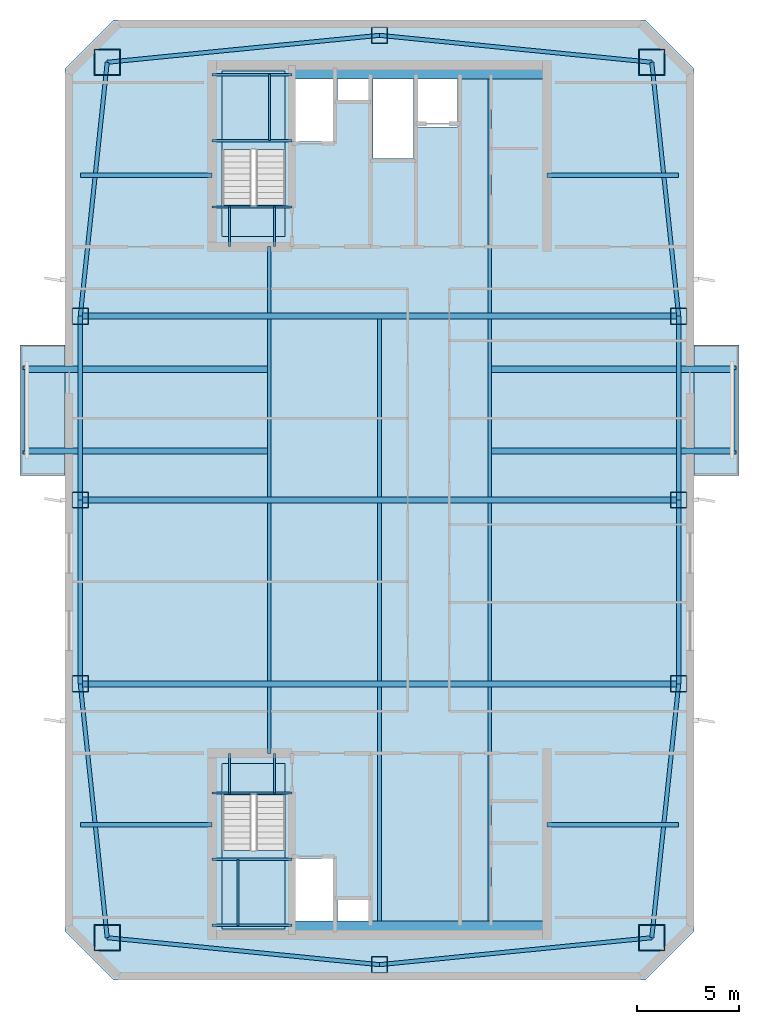
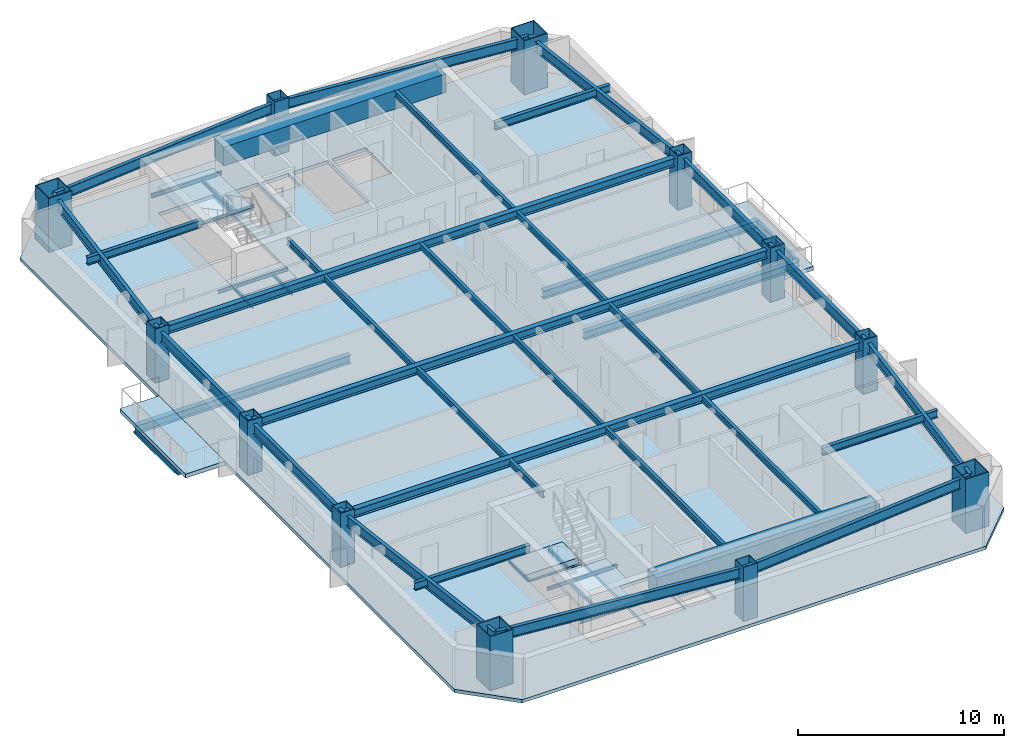
# One storey, part 1 of 7: 50 beams, 12 columns, 7 slabs, 2 elements without a shape of their own.
"""IFC4 building model written with IfcOpenShell, lengths in metres."""

from ifc_helpers import new_model, si_unit, direction, frame, origin, origin_2d, place, context, subcontext, project, spatial, polyline, rectangle, hollow_rectangle, i_section, outline, extrude, material, layer, layer_set, material_profile, profile_set, type_object, element, aggregate, save


model = new_model("IFC4")

# Units and contexts
model_context = context("Model", 3, precision=1e-05, world=origin(), true_north=direction((0.0, 1.0)))
body_context = subcontext(model_context, "Body", "Model", "MODEL_VIEW")
ifc_project = project(units=[si_unit("LENGTHUNIT", "METRE"), si_unit("AREAUNIT", "SQUARE_METRE"), si_unit("VOLUMEUNIT", "CUBIC_METRE"), si_unit("PLANEANGLEUNIT", "RADIAN"), si_unit("MASSUNIT", "GRAM", prefix="KILO")], contexts=[model_context])

# Site, building, storey
site_placement = place(None, origin())
site = spatial("IfcSite", under=ifc_project, at=site_placement, CompositionType="ELEMENT")
building_placement = place(site_placement, origin())
building = spatial("IfcBuilding", under=site, at=building_placement, Name="Qiaolan Cultural Towers", CompositionType="ELEMENT")
storey_placement = place(building_placement, frame((0.0, 0.0, 266.39990234375)))
storey = spatial("IfcBuildingStorey", under=building, at=storey_placement, Name="L73", CompositionType="ELEMENT", Elevation=266.39990234375)

# Columns
ifc_material_1 = material(Name="Steel Q390GJB", Category="steel")
ifc_material_profile_1 = material_profile(ifc_material_1, hollow_rectangle(XDim=1.300048828125, YDim=1.300048828125, WallThickness=0.044921875, at=origin_2d()), Name="BOX1300x1300x45")
ifc_profile_set_1 = profile_set([ifc_material_profile_1], Name="Steel Q390GJB")
column_type_1 = type_object("IfcColumnType", Name="COL-BOX1300x1300x45", PredefinedType="COLUMN", material=ifc_profile_set_1)
for number, where, z_axis, x_axis, name in (
    (1, (16.669921875, 12.570068359375, 0.0), (0.0, 0.0, 1.0), (1.0, 0.0, 0.0), "L73 T1 Perimeter Column MC-SW"),
    (2, (43.330078125, 12.570068359375, 0.0), (0.0, 0.0, 1.0), (1.0, 0.0, 0.0), "L73 T1 Perimeter Column MC-SE"),
    (3, (43.330078125, 55.429931640625, 0.0), (0.0, 0.0, 1.0), (1.0, 0.0, 0.0), "L73 T1 Perimeter Column MC-NE"),
    (4, (16.669921875, 55.429931640625, 0.0), (0.0, 0.0, 1.0), (1.0, 0.0, 0.0), "L73 T1 Perimeter Column MC-NW"),
):
    element("IfcColumn", number, at=place(storey_placement, frame(where, z_axis=z_axis, x_axis=x_axis)), inside=storey, type_object=column_type_1, Name=name, PredefinedType="COLUMN", context=body_context, shape_type="SweptSolid", body=[
        extrude(hollow_rectangle(XDim=1.300048828125, YDim=1.300048828125, WallThickness=0.044921875, at=origin_2d()), origin(), (0.0, 0.0, 1.0), 3.201171875),
    ])
ifc_material_2 = material(Name="Steel Q355B", Category="steel")
ifc_material_profile_2 = material_profile(ifc_material_2, hollow_rectangle(XDim=0.800048828125, YDim=0.800048828125, WallThickness=0.028076171875, at=origin_2d()), Name="BOX800x800x28")
ifc_profile_set_2 = profile_set([ifc_material_profile_2], Name="Steel Q355B")
column_type_2 = type_object("IfcColumnType", Name="COL-BOX800x800x28", PredefinedType="COLUMN", material=ifc_profile_set_2)
for number, where, z_axis, x_axis, name in (
    (5, (15.35009765625, 25.0, 0.0), (0.0, 0.0, 1.0), (1.0, 0.0, 0.0), "L73 T1 Perimeter Column PC-W1"),
    (6, (15.35009765625, 34.0, 0.0), (0.0, 0.0, 1.0), (1.0, 0.0, 0.0), "L73 T1 Perimeter Column PC-W2"),
    (7, (15.35009765625, 43.0, 0.0), (0.0, 0.0, 1.0), (1.0, 0.0, 0.0), "L73 T1 Perimeter Column PC-W3"),
    (8, (44.64990234375, 25.0, 0.0), (0.0, 0.0, 1.0), (1.0, 0.0, 0.0), "L73 T1 Perimeter Column PC-E1"),
    (9, (44.64990234375, 34.0, 0.0), (0.0, 0.0, 1.0), (1.0, 0.0, 0.0), "L73 T1 Perimeter Column PC-E2"),
    (10, (44.64990234375, 43.0, 0.0), (0.0, 0.0, 1.0), (1.0, 0.0, 0.0), "L73 T1 Perimeter Column PC-E3"),
    (11, (30.0, 11.25, 0.0), (0.0, 0.0, 1.0), (1.0, 0.0, 0.0), "L73 T1 Perimeter Column PC-S0"),
    (12, (30.0, 56.75, 0.0), (0.0, 0.0, 1.0), (1.0, 0.0, 0.0), "L73 T1 Perimeter Column PC-N0"),
):
    element("IfcColumn", number, at=place(storey_placement, frame(where, z_axis=z_axis, x_axis=x_axis)), inside=storey, type_object=column_type_2, Name=name, PredefinedType="COLUMN", context=body_context, shape_type="SweptSolid", body=[
        extrude(hollow_rectangle(XDim=0.800048828125, YDim=0.800048828125, WallThickness=0.028076171875, at=origin_2d()), origin(), (0.0, 0.0, 1.0), 3.201171875),
    ])

# Beams
ifc_material_3 = material(Name="Steel Q355B", Category="steel")
ifc_material_profile_3 = material_profile(ifc_material_3, i_section(OverallWidth=0.300048828125, OverallDepth=0.488037109375, WebThickness=0.010986328125, FlangeThickness=0.01806640625, at=origin_2d()), Name="HM488x300x11x18")
ifc_profile_set_3 = profile_set([ifc_material_profile_3], Name="Steel Q355B")
beam_type_1 = type_object("IfcBeamType", Name="BM-HM488x300x11x18", PredefinedType="BEAM", material=ifc_profile_set_3)
for number, where, z_axis, x_axis, name in (
    (13, (24.60009765625, 36.39990234375, -0.52392578125), (-1.0, 0.0, 0.0), (0.0, -1.0, 0.0), "L73 T1 Tree Balcony Back-Spanned Bracket Beam"),
    (14, (24.60009765625, 40.39990234375, -0.52392578125), (-1.0, 0.0, 0.0), (0.0, -1.0, 0.0), "L73 T1 Tree Balcony Back-Spanned Bracket Beam"),
    (15, (35.39990234375, 36.39990234375, -0.52392578125), (1.0, 0.0, 0.0), (0.0, 1.0, 0.0), "L73 T1 Tree Balcony Back-Spanned Bracket Beam"),
    (16, (35.39990234375, 40.39990234375, -0.52392578125), (1.0, 0.0, 0.0), (0.0, 1.0, 0.0), "L73 T1 Tree Balcony Back-Spanned Bracket Beam"),
):
    element("IfcBeam", number, at=place(storey_placement, frame(where, z_axis=z_axis, x_axis=x_axis)), inside=storey, type_object=beam_type_1, Name=name, PredefinedType="BEAM", context=body_context, shape_type="SweptSolid", body=[
        extrude(i_section(OverallWidth=0.300048828125, OverallDepth=0.488037109375, WebThickness=0.010986328125, FlangeThickness=0.01806640625, at=origin_2d()), origin(), (0.0, 0.0, 1.0), 12.050048828125),
    ])
for number, where, z_axis, x_axis, name in (
    (17, (15.35009765625, 25.0, 2.696044921875), (1.0, 0.0, 0.0), (0.0, 1.0, 0.0), "L73 T1 Primary Transverse Girder V1"),
    (18, (15.35009765625, 34.0, 2.696044921875), (1.0, 0.0, 0.0), (0.0, 1.0, 0.0), "L73 T1 Primary Transverse Girder V2"),
    (19, (15.35009765625, 43.0, 2.696044921875), (1.0, 0.0, 0.0), (0.0, 1.0, 0.0), "L73 T1 Primary Transverse Girder V3"),
):
    element("IfcBeam", number, at=place(storey_placement, frame(where, z_axis=z_axis, x_axis=x_axis)), inside=storey, type_object=beam_type_1, Name=name, PredefinedType="BEAM", context=body_context, shape_type="SweptSolid", body=[
        extrude(i_section(OverallWidth=0.300048828125, OverallDepth=0.488037109375, WebThickness=0.010986328125, FlangeThickness=0.01806640625, at=origin_2d()), origin(), (0.0, 0.0, 1.0), 29.2998046875),
    ])
ifc_material_4 = material(Name="Steel Q355B", Category="steel")
ifc_material_profile_4 = material_profile(ifc_material_4, i_section(OverallWidth=0.175048828125, OverallDepth=0.35009765625, WebThickness=0.007080078125, FlangeThickness=0.010986328125, at=origin_2d()), Name="HN350x175x7x11")
ifc_profile_set_4 = profile_set([ifc_material_profile_4], Name="Steel Q355B")
beam_type_2 = type_object("IfcBeamType", Name="BM-JST-HN350x175x7x11", PredefinedType="JOIST", material=ifc_profile_set_4)
for number, where, z_axis, x_axis, name in (
    (20, (12.550048828125, 36.39990234375, -0.52392578125), (0.0, 1.0, 0.0), (-1.0, 0.0, 0.0), "L73 T1 Tree Balcony Outer Edge Beam"),
    (21, (47.449951171875, 36.39990234375, -0.52392578125), (0.0, 1.0, 0.0), (-1.0, 0.0, 0.0), "L73 T1 Tree Balcony Outer Edge Beam"),
):
    element("IfcBeam", number, at=place(storey_placement, frame(where, z_axis=z_axis, x_axis=x_axis)), inside=storey, type_object=beam_type_2, Name=name, PredefinedType="JOIST", context=body_context, shape_type="SweptSolid", body=[
        extrude(i_section(OverallWidth=0.175048828125, OverallDepth=0.35009765625, WebThickness=0.007080078125, FlangeThickness=0.010986328125, at=origin_2d()), origin(), (0.0, 0.0, 1.0), 4.0),
    ])
beam_1_placement = place(storey_placement, frame((24.60009765625, 21.60009765625, 2.76513671875), z_axis=(0.0, 1.0, 0.0), x_axis=(-1.0, 0.0, 0.0)))
element("IfcBeam", 22, at=beam_1_placement, inside=storey, type_object=beam_type_2, Name="L73 T1 Secondary Floor Joist U1-1", PredefinedType="JOIST", context=body_context, shape_type="SweptSolid", body=[
    extrude(i_section(OverallWidth=0.175048828125, OverallDepth=0.35009765625, WebThickness=0.007080078125, FlangeThickness=0.010986328125, at=origin_2d()), origin(), (0.0, 0.0, 1.0), 3.25),
])
for number, where, z_axis, x_axis, name in (
    (23, (24.60009765625, 25.14990234375, 2.76513671875), (0.0, 1.0, 0.0), (-1.0, 0.0, 0.0), "L73 T1 Secondary Floor Joist U1-2"),
    (24, (24.60009765625, 34.14990234375, 2.76513671875), (0.0, 1.0, 0.0), (-1.0, 0.0, 0.0), "L73 T1 Secondary Floor Joist U1-3"),
):
    element("IfcBeam", number, at=place(storey_placement, frame(where, z_axis=z_axis, x_axis=x_axis)), inside=storey, type_object=beam_type_2, Name=name, PredefinedType="JOIST", context=body_context, shape_type="SweptSolid", body=[
        extrude(i_section(OverallWidth=0.175048828125, OverallDepth=0.35009765625, WebThickness=0.007080078125, FlangeThickness=0.010986328125, at=origin_2d()), origin(), (0.0, 0.0, 1.0), 8.7001953125),
    ])
beam_2_placement = place(storey_placement, frame((24.60009765625, 43.14990234375, 2.76513671875), z_axis=(0.0, 1.0, 0.0), x_axis=(-1.0, 0.0, 0.0)))
element("IfcBeam", 25, at=beam_2_placement, inside=storey, type_object=beam_type_2, Name="L73 T1 Secondary Floor Joist U1-4", PredefinedType="JOIST", context=body_context, shape_type="SweptSolid", body=[
    extrude(i_section(OverallWidth=0.175048828125, OverallDepth=0.35009765625, WebThickness=0.007080078125, FlangeThickness=0.010986328125, at=origin_2d()), origin(), (0.0, 0.0, 1.0), 3.25),
])
beam_3_placement = place(storey_placement, frame((30.0, 13.39990234375, 2.76513671875), z_axis=(0.0, 1.0, 0.0), x_axis=(-1.0, 0.0, 0.0)))
element("IfcBeam", 26, at=beam_3_placement, inside=storey, type_object=beam_type_2, Name="L73 T1 Secondary Floor Joist U2-1", PredefinedType="JOIST", context=body_context, shape_type="SweptSolid", body=[
    extrude(i_section(OverallWidth=0.175048828125, OverallDepth=0.35009765625, WebThickness=0.007080078125, FlangeThickness=0.010986328125, at=origin_2d()), origin(), (0.0, 0.0, 1.0), 11.4501953125),
])
for number, where, z_axis, x_axis, name in (
    (27, (30.0, 25.14990234375, 2.76513671875), (0.0, 1.0, 0.0), (-1.0, 0.0, 0.0), "L73 T1 Secondary Floor Joist U2-2"),
    (28, (30.0, 34.14990234375, 2.76513671875), (0.0, 1.0, 0.0), (-1.0, 0.0, 0.0), "L73 T1 Secondary Floor Joist U2-3"),
):
    element("IfcBeam", number, at=place(storey_placement, frame(where, z_axis=z_axis, x_axis=x_axis)), inside=storey, type_object=beam_type_2, Name=name, PredefinedType="JOIST", context=body_context, shape_type="SweptSolid", body=[
        extrude(i_section(OverallWidth=0.175048828125, OverallDepth=0.35009765625, WebThickness=0.007080078125, FlangeThickness=0.010986328125, at=origin_2d()), origin(), (0.0, 0.0, 1.0), 8.7001953125),
    ])
beam_4_placement = place(storey_placement, frame((35.39990234375, 13.39990234375, 2.76513671875), z_axis=(0.0, 1.0, 0.0), x_axis=(-1.0, 0.0, 0.0)))
element("IfcBeam", 29, at=beam_4_placement, inside=storey, type_object=beam_type_2, Name="L73 T1 Secondary Floor Joist U3-1", PredefinedType="JOIST", context=body_context, shape_type="SweptSolid", body=[
    extrude(i_section(OverallWidth=0.175048828125, OverallDepth=0.35009765625, WebThickness=0.007080078125, FlangeThickness=0.010986328125, at=origin_2d()), origin(), (0.0, 0.0, 1.0), 11.4501953125),
])
for number, where, z_axis, x_axis, name in (
    (30, (35.39990234375, 25.14990234375, 2.76513671875), (0.0, 1.0, 0.0), (-1.0, 0.0, 0.0), "L73 T1 Secondary Floor Joist U3-2"),
    (31, (35.39990234375, 34.14990234375, 2.76513671875), (0.0, 1.0, 0.0), (-1.0, 0.0, 0.0), "L73 T1 Secondary Floor Joist U3-3"),
):
    element("IfcBeam", number, at=place(storey_placement, frame(where, z_axis=z_axis, x_axis=x_axis)), inside=storey, type_object=beam_type_2, Name=name, PredefinedType="JOIST", context=body_context, shape_type="SweptSolid", body=[
        extrude(i_section(OverallWidth=0.175048828125, OverallDepth=0.35009765625, WebThickness=0.007080078125, FlangeThickness=0.010986328125, at=origin_2d()), origin(), (0.0, 0.0, 1.0), 8.7001953125),
    ])
beam_5_placement = place(storey_placement, frame((35.39990234375, 43.14990234375, 2.76513671875), z_axis=(0.0, 1.0, 0.0), x_axis=(-1.0, 0.0, 0.0)))
element("IfcBeam", 32, at=beam_5_placement, inside=storey, type_object=beam_type_2, Name="L73 T1 Secondary Floor Joist U3-4", PredefinedType="JOIST", context=body_context, shape_type="SweptSolid", body=[
    extrude(i_section(OverallWidth=0.175048828125, OverallDepth=0.35009765625, WebThickness=0.007080078125, FlangeThickness=0.010986328125, at=origin_2d()), origin(), (0.0, 0.0, 1.0), 11.4501953125),
])
ifc_material_5 = material(Name="Steel Q355B", Category="steel")
ifc_material_profile_5 = material_profile(ifc_material_5, i_section(OverallWidth=0.199951171875, OverallDepth=0.449951171875, WebThickness=0.009033203125, FlangeThickness=0.013916015625, at=origin_2d()), Name="HN450x200x9x14")
ifc_profile_set_5 = profile_set([ifc_material_profile_5], Name="Steel Q355B")
beam_type_3 = type_object("IfcBeamType", Name="BM-LNT-HN450x200x9x14", PredefinedType="LINTEL", material=ifc_profile_set_5)
for number, where, z_axis, x_axis, name in (
    (33, (21.800048828125, 18.10009765625, 2.715087890625), (-1.0, 0.0, 0.0), (0.0, -1.0, 0.0), "L73 T1 Core Flank Tie Lintel WS"),
    (34, (21.800048828125, 49.89990234375, 2.715087890625), (-1.0, 0.0, 0.0), (0.0, -1.0, 0.0), "L73 T1 Core Flank Tie Lintel WN"),
    (35, (38.199951171875, 18.10009765625, 2.715087890625), (1.0, 0.0, 0.0), (0.0, 1.0, 0.0), "L73 T1 Core Flank Tie Lintel ES"),
    (36, (38.199951171875, 49.89990234375, 2.715087890625), (1.0, 0.0, 0.0), (0.0, 1.0, 0.0), "L73 T1 Core Flank Tie Lintel EN"),
):
    element("IfcBeam", number, at=place(storey_placement, frame(where, z_axis=z_axis, x_axis=x_axis)), inside=storey, type_object=beam_type_3, Name=name, PredefinedType="LINTEL", context=body_context, shape_type="SweptSolid", body=[
        extrude(i_section(OverallWidth=0.199951171875, OverallDepth=0.449951171875, WebThickness=0.009033203125, FlangeThickness=0.013916015625, at=origin_2d()), origin(), (0.0, 0.0, 1.0), 6.449951171875),
    ])
ifc_material_6 = material(Name="Concrete C50", Category="concrete")
ifc_material_profile_6 = material_profile(ifc_material_6, rectangle(XDim=0.89990234375, YDim=1.10009765625, at=origin_2d()), Name="RC900x1100")
ifc_profile_set_6 = profile_set([ifc_material_profile_6], Name="Concrete C50")
beam_type_4 = type_object("IfcBeamType", Name="BM-RC900x1100", PredefinedType="BEAM", material=ifc_profile_set_6)
for number, where, z_axis, x_axis, name in (
    (37, (25.719970703125, 12.949951171875, 2.39013671875), (1.0, 0.0, 0.0), (0.0, 1.0, 0.0), "L73 T1 Core Header Girder S"),
    (38, (25.719970703125, 55.050048828125, 2.39013671875), (1.0, 0.0, 0.0), (0.0, 1.0, 0.0), "L73 T1 Core Header Girder N"),
):
    element("IfcBeam", number, at=place(storey_placement, frame(where, z_axis=z_axis, x_axis=x_axis)), inside=storey, type_object=beam_type_4, Name=name, PredefinedType="BEAM", context=body_context, shape_type="SweptSolid", body=[
        extrude(rectangle(XDim=0.89990234375, YDim=1.10009765625, at=origin_2d()), origin(), (0.0, 0.0, 1.0), 12.47998046875),
    ])
ifc_material_7 = material(Name="Steel Q355B", Category="steel")
ifc_material_profile_7 = material_profile(ifc_material_7, i_section(OverallWidth=0.199951171875, OverallDepth=0.60009765625, WebThickness=0.010986328125, FlangeThickness=0.01708984375, at=origin_2d()), Name="HN600x200x11x17")
ifc_profile_set_7 = profile_set([ifc_material_profile_7], Name="Steel Q355B")
beam_type_5 = type_object("IfcBeamType", Name="BM-SPD-HN600x200x11x17", PredefinedType="SPANDREL", material=ifc_profile_set_7)
for number, where, z_axis, x_axis, name in (
    (39, (16.669921875, 12.570068359375, 2.64013671875), (0.995132371263, -0.098547266143, 0.0), (0.098547266143, 0.995132371263, 0.0), "L73 T1 Perimeter Spandrel Beam 1"),
    (40, (30.0, 11.25, 2.64013671875), (0.995132371263, 0.098547266143, 0.0), (-0.098547266143, 0.995132371263, 0.0), "L73 T1 Perimeter Spandrel Beam 2"),
):
    element("IfcBeam", number, at=place(storey_placement, frame(where, z_axis=z_axis, x_axis=x_axis)), inside=storey, type_object=beam_type_5, Name=name, PredefinedType="SPANDREL", context=body_context, shape_type="SweptSolid", body=[
        extrude(i_section(OverallWidth=0.199951171875, OverallDepth=0.60009765625, WebThickness=0.010986328125, FlangeThickness=0.01708984375, at=origin_2d()), origin(), (0.0, 0.0, 1.0), 13.395263671875),
    ])
beam_6_placement = place(storey_placement, frame((43.330078125, 12.570068359375, 2.64013671875), z_axis=(0.105587580773, 0.994410007384, 0.0), x_axis=(-0.994410007384, 0.105587580773, 0.0)))
element("IfcBeam", 41, at=beam_6_placement, inside=storey, type_object=beam_type_5, Name="L73 T1 Perimeter Spandrel Beam 3", PredefinedType="SPANDREL", context=body_context, shape_type="SweptSolid", body=[
    extrude(i_section(OverallWidth=0.199951171875, OverallDepth=0.60009765625, WebThickness=0.010986328125, FlangeThickness=0.01708984375, at=origin_2d()), origin(), (0.0, 0.0, 1.0), 12.499755859375),
])
for number, where, z_axis, x_axis, name in (
    (42, (44.64990234375, 25.0, 2.64013671875), (0.0, 1.0, 0.0), (-1.0, 0.0, 0.0), "L73 T1 Perimeter Spandrel Beam 4"),
    (43, (44.64990234375, 34.0, 2.64013671875), (0.0, 1.0, 0.0), (-1.0, 0.0, 0.0), "L73 T1 Perimeter Spandrel Beam 5"),
):
    element("IfcBeam", number, at=place(storey_placement, frame(where, z_axis=z_axis, x_axis=x_axis)), inside=storey, type_object=beam_type_5, Name=name, PredefinedType="SPANDREL", context=body_context, shape_type="SweptSolid", body=[
        extrude(i_section(OverallWidth=0.199951171875, OverallDepth=0.60009765625, WebThickness=0.010986328125, FlangeThickness=0.01708984375, at=origin_2d()), origin(), (0.0, 0.0, 1.0), 9.0),
    ])
beam_7_placement = place(storey_placement, frame((44.64990234375, 43.0, 2.64013671875), z_axis=(-0.105587580773, 0.994410007384, 0.0), x_axis=(-0.994410007384, -0.105587580773, 0.0)))
element("IfcBeam", 44, at=beam_7_placement, inside=storey, type_object=beam_type_5, Name="L73 T1 Perimeter Spandrel Beam 6", PredefinedType="SPANDREL", context=body_context, shape_type="SweptSolid", body=[
    extrude(i_section(OverallWidth=0.199951171875, OverallDepth=0.60009765625, WebThickness=0.010986328125, FlangeThickness=0.01708984375, at=origin_2d()), origin(), (0.0, 0.0, 1.0), 12.499755859375),
])
for number, where, z_axis, x_axis, name in (
    (45, (43.330078125, 55.429931640625, 2.64013671875), (-0.995132371263, 0.098547266143, 0.0), (-0.098547266143, -0.995132371263, 0.0), "L73 T1 Perimeter Spandrel Beam 7"),
    (46, (30.0, 56.75, 2.64013671875), (-0.995132371263, -0.098547266143, 0.0), (0.098547266143, -0.995132371263, 0.0), "L73 T1 Perimeter Spandrel Beam 8"),
):
    element("IfcBeam", number, at=place(storey_placement, frame(where, z_axis=z_axis, x_axis=x_axis)), inside=storey, type_object=beam_type_5, Name=name, PredefinedType="SPANDREL", context=body_context, shape_type="SweptSolid", body=[
        extrude(i_section(OverallWidth=0.199951171875, OverallDepth=0.60009765625, WebThickness=0.010986328125, FlangeThickness=0.01708984375, at=origin_2d()), origin(), (0.0, 0.0, 1.0), 13.395263671875),
    ])
beam_8_placement = place(storey_placement, frame((16.669921875, 55.429931640625, 2.64013671875), z_axis=(-0.105587580773, -0.994410007384, 0.0), x_axis=(0.994410007384, -0.105587580773, 0.0)))
element("IfcBeam", 47, at=beam_8_placement, inside=storey, type_object=beam_type_5, Name="L73 T1 Perimeter Spandrel Beam 9", PredefinedType="SPANDREL", context=body_context, shape_type="SweptSolid", body=[
    extrude(i_section(OverallWidth=0.199951171875, OverallDepth=0.60009765625, WebThickness=0.010986328125, FlangeThickness=0.01708984375, at=origin_2d()), origin(), (0.0, 0.0, 1.0), 12.499755859375),
])
for number, where, z_axis, x_axis, name in (
    (48, (15.35009765625, 43.0, 2.64013671875), (0.0, -1.0, 0.0), (1.0, 0.0, 0.0), "L73 T1 Perimeter Spandrel Beam 10"),
    (49, (15.35009765625, 34.0, 2.64013671875), (0.0, -1.0, 0.0), (1.0, 0.0, 0.0), "L73 T1 Perimeter Spandrel Beam 11"),
):
    element("IfcBeam", number, at=place(storey_placement, frame(where, z_axis=z_axis, x_axis=x_axis)), inside=storey, type_object=beam_type_5, Name=name, PredefinedType="SPANDREL", context=body_context, shape_type="SweptSolid", body=[
        extrude(i_section(OverallWidth=0.199951171875, OverallDepth=0.60009765625, WebThickness=0.010986328125, FlangeThickness=0.01708984375, at=origin_2d()), origin(), (0.0, 0.0, 1.0), 9.0),
    ])
beam_9_placement = place(storey_placement, frame((15.35009765625, 25.0, 2.64013671875), z_axis=(0.105587580773, -0.994410007384, 0.0), x_axis=(0.994410007384, 0.105587580773, 0.0)))
element("IfcBeam", 50, at=beam_9_placement, inside=storey, type_object=beam_type_5, Name="L73 T1 Perimeter Spandrel Beam 12", PredefinedType="SPANDREL", context=body_context, shape_type="SweptSolid", body=[
    extrude(i_section(OverallWidth=0.199951171875, OverallDepth=0.60009765625, WebThickness=0.010986328125, FlangeThickness=0.01708984375, at=origin_2d()), origin(), (0.0, 0.0, 1.0), 12.499755859375),
])
ifc_material_8 = material(Name="Steel Q355B", Category="steel")
ifc_material_profile_8 = material_profile(ifc_material_8, i_section(OverallWidth=0.10009765625, OverallDepth=0.199951171875, WebThickness=0.005615234375, FlangeThickness=0.008056640625, at=origin_2d()), Name="HN200x100x5.5x8")
ifc_profile_set_8 = profile_set([ifc_material_profile_8], Name="Steel Q355B")
beam_type_6 = type_object("IfcBeamType", Name="BM-STTRIM-200", PredefinedType="BEAM", material=ifc_profile_set_8)
beam_10_placement = place(storey_placement, frame((21.800048828125, 19.659912109375, -0.4599609375), z_axis=(1.0, 0.0, 0.0), x_axis=(0.0, 1.0, 0.0)))
element("IfcBeam", 51, at=beam_10_placement, inside=storey, type_object=beam_type_6, Name="L73 ST-W1 Floor Landing Header Beam", PredefinedType="BEAM", context=body_context, shape_type="SweptSolid", body=[
    extrude(i_section(OverallWidth=0.10009765625, OverallDepth=0.199951171875, WebThickness=0.005615234375, FlangeThickness=0.008056640625, at=origin_2d()), origin(), (0.0, 0.0, 1.0), 3.919921875),
])
for number, where, z_axis, x_axis, name in (
    (52, (22.64990234375, 21.60009765625, -0.4599609375), (0.0, -1.0, 0.0), (1.0, 0.0, 0.0), "L73 ST-W1 Floor Landing Stringer 1"),
    (53, (24.85009765625, 21.60009765625, -0.4599609375), (0.0, -1.0, 0.0), (1.0, 0.0, 0.0), "L73 ST-W1 Floor Landing Stringer 2"),
):
    element("IfcBeam", number, at=place(storey_placement, frame(where, z_axis=z_axis, x_axis=x_axis)), inside=storey, type_object=beam_type_6, Name=name, PredefinedType="BEAM", context=body_context, shape_type="SweptSolid", body=[
        extrude(i_section(OverallWidth=0.10009765625, OverallDepth=0.199951171875, WebThickness=0.005615234375, FlangeThickness=0.008056640625, at=origin_2d()), origin(), (0.0, 0.0, 1.0), 1.940185546875),
    ])
for number, where, z_axis, x_axis, name in (
    (54, (21.800048828125, 16.411376953125, 1.300048828125), (1.0, 0.0, 0.0), (0.0, 1.0, 0.0), "L73 ST-W1 Stair Landing Support Beam 1-1"),
    (55, (21.800048828125, 13.179931640625, 1.300048828125), (1.0, 0.0, 0.0), (0.0, 1.0, 0.0), "L73 ST-W1 Stair Landing Support Beam 1-2"),
):
    element("IfcBeam", number, at=place(storey_placement, frame(where, z_axis=z_axis, x_axis=x_axis)), inside=storey, type_object=beam_type_6, Name=name, PredefinedType="BEAM", context=body_context, shape_type="SweptSolid", body=[
        extrude(i_section(OverallWidth=0.10009765625, OverallDepth=0.199951171875, WebThickness=0.005615234375, FlangeThickness=0.008056640625, at=origin_2d()), origin(), (0.0, 0.0, 1.0), 3.919921875),
    ])
beam_11_placement = place(storey_placement, frame((23.070068359375, 16.411376953125, 1.300048828125), z_axis=(0.0, -1.0, 0.0), x_axis=(1.0, 0.0, 0.0)))
element("IfcBeam", 56, at=beam_11_placement, inside=storey, type_object=beam_type_6, Name="L73 ST-W1 Stair Landing Trimmer 1", PredefinedType="BEAM", context=body_context, shape_type="SweptSolid", body=[
    extrude(i_section(OverallWidth=0.10009765625, OverallDepth=0.199951171875, WebThickness=0.005615234375, FlangeThickness=0.008056640625, at=origin_2d()), origin(), (0.0, 0.0, 1.0), 3.2314453125),
])
beam_12_placement = place(storey_placement, frame((21.800048828125, 48.340087890625, -0.4599609375), z_axis=(1.0, 0.0, 0.0), x_axis=(0.0, 1.0, 0.0)))
element("IfcBeam", 57, at=beam_12_placement, inside=storey, type_object=beam_type_6, Name="L73 ST-W2 Floor Landing Header Beam", PredefinedType="BEAM", context=body_context, shape_type="SweptSolid", body=[
    extrude(i_section(OverallWidth=0.10009765625, OverallDepth=0.199951171875, WebThickness=0.005615234375, FlangeThickness=0.008056640625, at=origin_2d()), origin(), (0.0, 0.0, 1.0), 3.919921875),
])
for number, where, z_axis, x_axis, name in (
    (58, (22.64990234375, 46.39990234375, -0.4599609375), (0.0, 1.0, 0.0), (-1.0, 0.0, 0.0), "L73 ST-W2 Floor Landing Stringer 1"),
    (59, (24.85009765625, 46.39990234375, -0.4599609375), (0.0, 1.0, 0.0), (-1.0, 0.0, 0.0), "L73 ST-W2 Floor Landing Stringer 2"),
):
    element("IfcBeam", number, at=place(storey_placement, frame(where, z_axis=z_axis, x_axis=x_axis)), inside=storey, type_object=beam_type_6, Name=name, PredefinedType="BEAM", context=body_context, shape_type="SweptSolid", body=[
        extrude(i_section(OverallWidth=0.10009765625, OverallDepth=0.199951171875, WebThickness=0.005615234375, FlangeThickness=0.008056640625, at=origin_2d()), origin(), (0.0, 0.0, 1.0), 1.940185546875),
    ])
for number, where, z_axis, x_axis, name in (
    (60, (21.800048828125, 51.588623046875, 1.300048828125), (1.0, 0.0, 0.0), (0.0, 1.0, 0.0), "L73 ST-W2 Stair Landing Support Beam 1-1"),
    (61, (21.800048828125, 54.820068359375, 1.300048828125), (1.0, 0.0, 0.0), (0.0, 1.0, 0.0), "L73 ST-W2 Stair Landing Support Beam 1-2"),
):
    element("IfcBeam", number, at=place(storey_placement, frame(where, z_axis=z_axis, x_axis=x_axis)), inside=storey, type_object=beam_type_6, Name=name, PredefinedType="BEAM", context=body_context, shape_type="SweptSolid", body=[
        extrude(i_section(OverallWidth=0.10009765625, OverallDepth=0.199951171875, WebThickness=0.005615234375, FlangeThickness=0.008056640625, at=origin_2d()), origin(), (0.0, 0.0, 1.0), 3.919921875),
    ])
beam_13_placement = place(storey_placement, frame((24.610107421875, 51.588623046875, 1.300048828125), z_axis=(0.0, 1.0, 0.0), x_axis=(-1.0, 0.0, 0.0)))
element("IfcBeam", 62, at=beam_13_placement, inside=storey, type_object=beam_type_6, Name="L73 ST-W2 Stair Landing Trimmer 1", PredefinedType="BEAM", context=body_context, shape_type="SweptSolid", body=[
    extrude(i_section(OverallWidth=0.10009765625, OverallDepth=0.199951171875, WebThickness=0.005615234375, FlangeThickness=0.008056640625, at=origin_2d()), origin(), (0.0, 0.0, 1.0), 3.2314453125),
])

# Slabs
ifc_material_9 = material(Name="Concrete C45", Category="concrete")
ifc_layer_1 = layer(ifc_material_9, 0.239990234375)
ifc_layer_set_1 = layer_set([ifc_layer_1], Name="Concrete C45")
slab_type_1 = type_object("IfcSlabType", Name="SL-BAL-240", PredefinedType="FLOOR", material=ifc_layer_set_1)
slab_1_placement = place(storey_placement, frame((0.0, 0.0, -0.239990234375)))
element("IfcSlab", 63, at=slab_1_placement, inside=storey, type_object=slab_type_1, Name="L73 T1 Planted Tree Balcony W", PredefinedType="FLOOR", context=body_context, shape_type="SweptSolid", body=[
    extrude(outline(polyline([(12.39990234375, 35.199951171875), (14.60009765625, 35.199951171875), (14.60009765625, 41.60009765625), (12.39990234375, 41.60009765625), (12.39990234375, 35.199951171875)])), origin(), (0.0, 0.0, 1.0), 0.239990234375),
])
slab_2_placement = place(storey_placement, frame((0.0, 0.0, -0.239990234375)))
element("IfcSlab", 64, at=slab_2_placement, inside=storey, type_object=slab_type_1, Name="L73 T1 Planted Tree Balcony E", PredefinedType="FLOOR", context=body_context, shape_type="SweptSolid", body=[
    extrude(outline(polyline([(45.39990234375, 35.199951171875), (47.60009765625, 35.199951171875), (47.60009765625, 41.60009765625), (45.39990234375, 41.60009765625), (45.39990234375, 35.199951171875)])), origin(), (0.0, 0.0, 1.0), 0.239990234375),
])
ifc_material_10 = material(Name="Concrete C45", Category="concrete")
ifc_layer_2 = layer(ifc_material_10, 0.199951171875)
ifc_layer_set_2 = layer_set([ifc_layer_2], Name="Concrete C45")
slab_type_2 = type_object("IfcSlabType", Name="SL-HI-200", PredefinedType="FLOOR", material=ifc_layer_set_2)
slab_3_placement = place(storey_placement, frame((0.0, 0.0, -0.199951171875)))
element("IfcSlab", 65, at=slab_3_placement, inside=storey, type_object=slab_type_2, Name="L73 West Tower Floor Slab", PredefinedType="FLOOR", context=body_context, shape_type="SweptSolid", body=[
    extrude(outline(polyline([(17.0, 10.5), (43.0, 10.5), (45.39990234375, 12.89990234375), (45.39990234375, 55.10009765625), (43.0, 57.5), (17.0, 57.5), (14.60009765625, 55.10009765625), (14.60009765625, 12.89990234375), (17.0, 10.5)]), holes=[polyline([(22.300048828125, 21.10009765625), (22.300048828125, 13.0), (25.3798828125, 13.0), (25.3798828125, 21.10009765625), (22.300048828125, 21.10009765625)]), polyline([(25.3798828125, 46.89990234375), (25.3798828125, 55.0), (22.300048828125, 55.0), (22.300048828125, 46.89990234375), (25.3798828125, 46.89990234375)]), polyline([(25.89990234375, 13.199951171875), (27.75, 13.199951171875), (27.75, 16.449951171875), (25.89990234375, 16.449951171875), (25.89990234375, 13.199951171875)]), polyline([(27.93994140625, 13.25), (29.449951171875, 13.25), (29.449951171875, 14.419921875), (27.93994140625, 14.419921875), (27.93994140625, 13.25)]), polyline([(25.89990234375, 51.550048828125), (27.75, 51.550048828125), (27.75, 54.800048828125), (25.89990234375, 54.800048828125), (25.89990234375, 51.550048828125)]), polyline([(27.93994140625, 53.580078125), (29.449951171875, 53.580078125), (29.449951171875, 54.75), (27.93994140625, 54.75), (27.93994140625, 53.580078125)]), polyline([(31.8798828125, 52.27001953125), (33.820068359375, 52.27001953125), (33.820068359375, 54.75), (31.8798828125, 54.75), (31.8798828125, 52.27001953125)]), polyline([(29.679931640625, 50.719970703125), (31.659912109375, 50.719970703125), (31.659912109375, 54.75), (29.679931640625, 54.75), (29.679931640625, 50.719970703125)])]), origin(), (0.0, 0.0, 1.0), 0.199951171875),
])

# Stair, slab
ifc_material_11 = material(Name="Concrete C45", Category="concrete")
stair_type = type_object("IfcStairType", Name="STR-CORE-1500", PredefinedType="HALF_TURN_STAIR", material=ifc_material_11)
stair_1_placement = place(storey_placement, origin())
stair_1 = element("IfcStair", 66, at=stair_1_placement, inside=storey, type_object=stair_type, Name="L73 Smokeproof Exit Stair ST-W1", PredefinedType="HALF_TURN_STAIR")
ifc_material_12 = material(Name="Concrete C45", Category="concrete")
ifc_layer_3 = layer(ifc_material_12, 0.199951171875)
ifc_layer_set_3 = layer_set([ifc_layer_3], Name="Concrete C45")
slab_type_3 = type_object("IfcSlabType", Name="SL-STAIR-LAND", PredefinedType="LANDING", material=ifc_layer_set_3)
slab_4_placement = place(storey_placement, frame((0.0, 0.0, 1.400146484375)))
slab_4 = element("IfcSlab", 67, at=slab_4_placement, type_object=slab_type_3, Name="ST-W1 landing 1", PredefinedType="LANDING", context=body_context, shape_type="SweptSolid", body=[
    extrude(outline(polyline([(22.300048828125, 16.851318359375), (22.300048828125, 13.0), (25.3798828125, 13.0), (25.3798828125, 16.851318359375), (22.300048828125, 16.851318359375)])), origin(), (0.0, 0.0, 1.0), 0.199951171875),
])
aggregate(stair_1, [slab_4])

stair_2_placement = place(storey_placement, origin())
stair_2 = element("IfcStair", 68, at=stair_2_placement, inside=storey, type_object=stair_type, Name="L73 Smokeproof Exit Stair ST-W2", PredefinedType="HALF_TURN_STAIR")
slab_5_placement = place(storey_placement, frame((0.0, 0.0, 1.400146484375)))
slab_5 = element("IfcSlab", 69, at=slab_5_placement, type_object=slab_type_3, Name="ST-W2 landing 1", PredefinedType="LANDING", context=body_context, shape_type="SweptSolid", body=[
    extrude(outline(polyline([(25.3798828125, 51.148681640625), (25.3798828125, 55.0), (22.300048828125, 55.0), (22.300048828125, 51.148681640625), (25.3798828125, 51.148681640625)])), origin(), (0.0, 0.0, 1.0), 0.199951171875),
])
aggregate(stair_2, [slab_5])

# Slabs
ifc_material_13 = material(Name="Concrete C40", Category="concrete")
ifc_layer_4 = layer(ifc_material_13, 0.360107421875)
ifc_layer_set_4 = layer_set([ifc_layer_4], Name="Concrete C40")
slab_type_4 = type_object("IfcSlabType", Name="SL-STFLR-360", PredefinedType="LANDING", material=ifc_layer_set_4)
slab_6_placement = place(storey_placement, frame((0.0, 0.0, -0.35986328125)))
element("IfcSlab", 70, at=slab_6_placement, inside=storey, type_object=slab_type_4, Name="L73 ST-W1 Stair Floor Landing Slab", PredefinedType="LANDING", context=body_context, shape_type="SweptSolid", body=[
    extrude(outline(polyline([(22.302001953125, 21.097900390625), (22.302001953125, 19.548583984375), (25.3779296875, 19.548583984375), (25.3779296875, 21.097900390625), (22.302001953125, 21.097900390625)])), origin(), (0.0, 0.0, 1.0), 0.35986328125),
])
slab_7_placement = place(storey_placement, frame((0.0, 0.0, -0.35986328125)))
element("IfcSlab", 71, at=slab_7_placement, inside=storey, type_object=slab_type_4, Name="L73 ST-W2 Stair Floor Landing Slab", PredefinedType="LANDING", context=body_context, shape_type="SweptSolid", body=[
    extrude(outline(polyline([(25.3779296875, 46.902099609375), (25.3779296875, 48.451416015625), (22.302001953125, 48.451416015625), (22.302001953125, 46.902099609375), (25.3779296875, 46.902099609375)])), origin(), (0.0, 0.0, 1.0), 0.35986328125),
])

save(model, "model.ifc")
